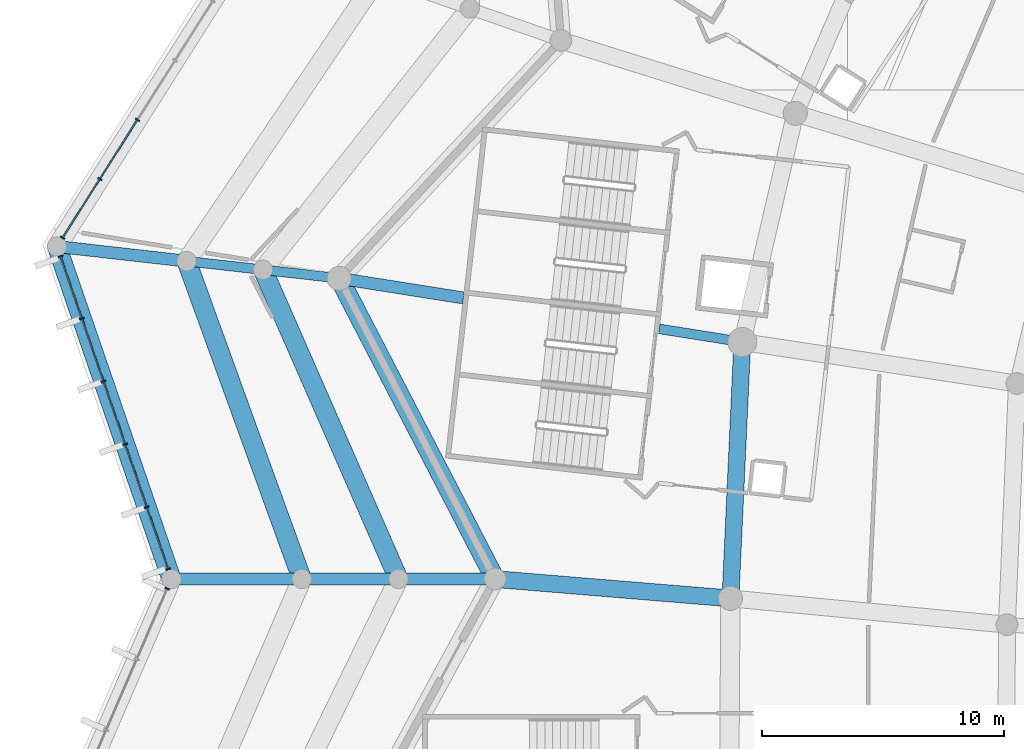
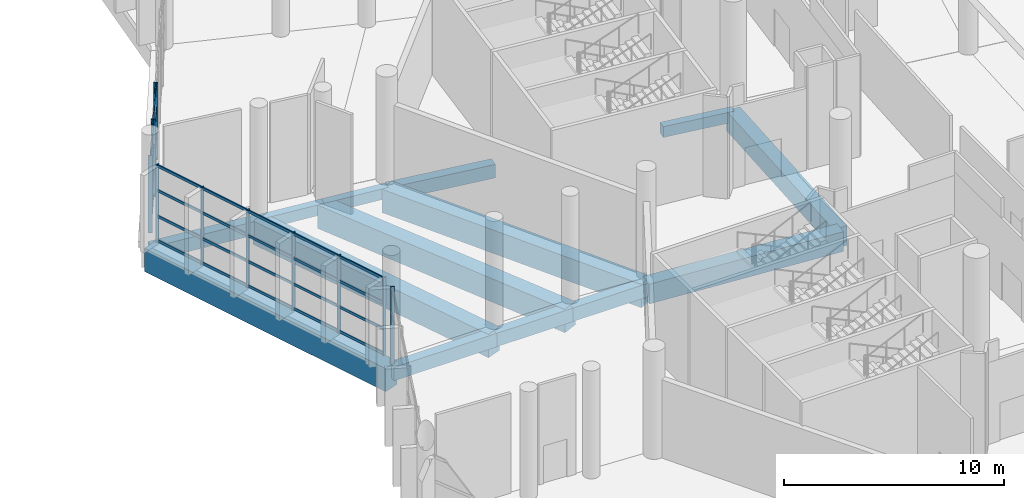
# One storey, part 57 of 249: 38 members, 14 beams, 3 elements without a shape of their own.
"""IFC4 building model written with IfcOpenShell, lengths in metres."""

from ifc_helpers import new_model, si_unit, direction, frame, origin, origin_2d, place, context, subcontext, project, spatial, rectangle, extrude, material, layer, layer_set, material_profile, profile_set, type_object, element, aggregate, save


model = new_model("IFC4")

# Units and contexts
model_context = context("Model", 3, precision=1e-05, world=origin(), true_north=direction((0.0, 1.0)))
body_context = subcontext(model_context, "Body", "Model", "MODEL_VIEW")
ifc_project = project(units=[si_unit("LENGTHUNIT", "METRE"), si_unit("AREAUNIT", "SQUARE_METRE"), si_unit("VOLUMEUNIT", "CUBIC_METRE"), si_unit("PLANEANGLEUNIT", "RADIAN"), si_unit("MASSUNIT", "GRAM", prefix="KILO")], contexts=[model_context])

# Site, building, storey
site_placement = place(None, origin())
site = spatial("IfcSite", under=ifc_project, at=site_placement, CompositionType="ELEMENT")
building_placement = place(site_placement, origin())
building = spatial("IfcBuilding", under=site, at=building_placement, Name="Meseta Stadium", CompositionType="ELEMENT")
storey_placement = place(building_placement, frame((0.0, 0.0, 12.0)))
storey = spatial("IfcBuildingStorey", under=building, at=storey_placement, Name="L02", CompositionType="ELEMENT", Elevation=12.0)

# Beams
ifc_material_1 = material(Name="Concrete C40/50", Category="concrete")
ifc_material_profile_1 = material_profile(ifc_material_1, rectangle(XDim=0.39990234375, YDim=0.60009765625, at=origin_2d()), Name="RC 400x600")
ifc_profile_set_1 = profile_set([ifc_material_profile_1], Name="Concrete C40/50")
beam_type_1 = type_object("IfcBeamType", Name="RC beam 400x600", PredefinedType="BEAM", material=ifc_profile_set_1)
beam_1_placement = place(storey_placement, frame((-84.36328125, 53.5654296875, -0.64990234375), z_axis=(-0.987745905014, 0.156070583799, 0.0), x_axis=(-0.156070583799, -0.987745905014, 0.0)))
element("IfcBeam", 1, at=beam_1_placement, inside=storey, type_object=beam_type_1, Name="L02 radial beam frame 28 line P to R", PredefinedType="BEAM", context=body_context, shape_type="SweptSolid", body=[
    extrude(rectangle(XDim=0.39990234375, YDim=0.60009765625, at=origin_2d()), origin(), (0.0, 0.0, 1.0), 3.482177734375),
])
beam_2_placement = place(storey_placement, frame((-101.0517578125, 56.202880859375, -0.64990234375), z_axis=(-0.99371595508, 0.111931231652, 0.0), x_axis=(-0.111931231652, -0.99371595508, 0.0)))
element("IfcBeam", 2, at=beam_2_placement, inside=storey, type_object=beam_type_1, Name="L02 radial beam frame 28 line R to M", PredefinedType="BEAM", context=body_context, shape_type="SweptSolid", body=[
    extrude(rectangle(XDim=0.39990234375, YDim=0.60009765625, at=origin_2d()), origin(), (0.0, 0.0, 1.0), 3.18017578125),
])
beam_3_placement = place(storey_placement, frame((-104.2119140625, 56.558837890625, -0.64990234375), z_axis=(-0.993708376267, 0.111998495247, 0.0), x_axis=(-0.111998495247, -0.993708376267, 0.0)))
element("IfcBeam", 3, at=beam_3_placement, inside=storey, type_object=beam_type_1, Name="L02 radial beam frame 28 line M to Q", PredefinedType="BEAM", context=body_context, shape_type="SweptSolid", body=[
    extrude(rectangle(XDim=0.39990234375, YDim=0.60009765625, at=origin_2d()), origin(), (0.0, 0.0, 1.0), 3.180419921875),
])
ifc_material_2 = material(Name="Concrete C40/50", Category="concrete")
ifc_material_profile_2 = material_profile(ifc_material_2, rectangle(XDim=0.5, YDim=0.75, at=origin_2d()), Name="RC 500x750")
ifc_profile_set_2 = profile_set([ifc_material_profile_2], Name="Concrete C40/50")
beam_type_2 = type_object("IfcBeamType", Name="RC beam 500x750", PredefinedType="BEAM", material=ifc_profile_set_2)
beam_4_placement = place(storey_placement, frame((-95.910400390625, 55.390380859375, -0.72509765625), z_axis=(-0.987742039994, 0.156095042932, 0.0), x_axis=(-0.156095042932, -0.987742039994, 0.0)))
element("IfcBeam", 4, at=beam_4_placement, inside=storey, type_object=beam_type_2, Name="L02 radial beam frame 28 line P to R", PredefinedType="BEAM", context=body_context, shape_type="SweptSolid", body=[
    extrude(rectangle(XDim=0.5, YDim=0.75, at=origin_2d()), origin(), (0.0, 0.0, 1.0), 5.205078125),
])
beam_5_placement = place(storey_placement, frame((-107.372314453125, 56.9150390625, -0.72509765625), z_axis=(-0.993714415722, 0.111944897098, 0.0), x_axis=(-0.111944897098, -0.993714415722, 0.0)))
element("IfcBeam", 5, at=beam_5_placement, inside=storey, type_object=beam_type_2, Name="L02 radial beam frame 28 line Q to O", PredefinedType="BEAM", context=body_context, shape_type="SweptSolid", body=[
    extrude(rectangle(XDim=0.5, YDim=0.75, at=origin_2d()), origin(), (0.0, 0.0, 1.0), 5.39990234375),
])
for number, where, z_axis, x_axis, name in (
    (6, (-94.60009765625, 43.75, -0.72509765625), (-1.0, 0.0, 0.0), (0.0, -1.0, 0.0), "L02 radial beam frame 29 line R to M"),
    (7, (-98.60009765625, 43.75, -0.72509765625), (-1.0, 0.0, 0.0), (0.0, -1.0, 0.0), "L02 radial beam frame 29 line M to Q"),
):
    element("IfcBeam", number, at=place(storey_placement, frame(where, z_axis=z_axis, x_axis=x_axis)), inside=storey, type_object=beam_type_2, Name=name, PredefinedType="BEAM", context=body_context, shape_type="SweptSolid", body=[
        extrude(rectangle(XDim=0.5, YDim=0.75, at=origin_2d()), origin(), (0.0, 0.0, 1.0), 4.0),
    ])
beam_6_placement = place(storey_placement, frame((-102.60009765625, 43.75, -0.72509765625), z_axis=(-1.0, 0.0, 0.0), x_axis=(0.0, -1.0, 0.0)))
element("IfcBeam", 8, at=beam_6_placement, inside=storey, type_object=beam_type_2, Name="L02 radial beam frame 29 line Q to O", PredefinedType="BEAM", context=body_context, shape_type="SweptSolid", body=[
    extrude(rectangle(XDim=0.5, YDim=0.75, at=origin_2d()), origin(), (0.0, 0.0, 1.0), 5.39990234375),
])
ifc_material_3 = material(Name="Concrete C40/50", Category="concrete")
ifc_material_profile_3 = material_profile(ifc_material_3, rectangle(XDim=0.699951171875, YDim=1.10009765625, at=origin_2d()), Name="RC 700x1100")
ifc_profile_set_3 = profile_set([ifc_material_profile_3], Name="Concrete C40/50")
beam_type_3 = type_object("IfcBeamType", Name="RC beam 700x1100", PredefinedType="BEAM", material=ifc_profile_set_3)
beam_7_placement = place(storey_placement, frame((-84.36328125, 53.5654296875, -0.89990234375), z_axis=(-0.046171416705, -0.998933531462, 0.0), x_axis=(0.998933531462, -0.046171416705, 0.0)))
element("IfcBeam", 9, at=beam_7_placement, inside=storey, type_object=beam_type_3, Name="L02 ring beam frame 28 line P", PredefinedType="BEAM", context=body_context, shape_type="SweptSolid", body=[
    extrude(rectangle(XDim=0.699951171875, YDim=1.10009765625, at=origin_2d()), origin(), (0.0, 0.0, 1.0), 10.628173828125),
])
beam_8_placement = place(storey_placement, frame((-84.85400390625, 42.948486328125, -0.89990234375), z_axis=(-0.996635391437, 0.081962775303, 0.0), x_axis=(-0.081962775303, -0.996635391437, 0.0)))
element("IfcBeam", 10, at=beam_8_placement, inside=storey, type_object=beam_type_3, Name="L02 radial beam frame 29 line P to R", PredefinedType="BEAM", context=body_context, shape_type="SweptSolid", body=[
    extrude(rectangle(XDim=0.699951171875, YDim=1.10009765625, at=origin_2d()), origin(), (0.0, 0.0, 1.0), 9.779052734375),
])
ifc_material_4 = material(Name="Concrete C40/50", Category="concrete")
ifc_material_profile_4 = material_profile(ifc_material_4, rectangle(XDim=0.800048828125, YDim=1.300048828125, at=origin_2d()), Name="RC 800x1300")
ifc_profile_set_4 = profile_set([ifc_material_profile_4], Name="Concrete C40/50")
beam_type_4 = type_object("IfcBeamType", Name="RC beam 800x1300", PredefinedType="BEAM", material=ifc_profile_set_4)
beam_9_placement = place(storey_placement, frame((-101.0517578125, 56.202880859375, -1.0), z_axis=(0.460014301189, -0.887911506121, 0.0), x_axis=(0.887911506121, 0.460014301189, 0.0)))
element("IfcBeam", 11, at=beam_9_placement, inside=storey, type_object=beam_type_4, Name="L02 ring beam frame 28 line R", PredefinedType="BEAM", context=body_context, shape_type="SweptSolid", body=[
    extrude(rectangle(XDim=0.800048828125, YDim=1.300048828125, at=origin_2d()), origin(), (0.0, 0.0, 1.0), 14.02490234375),
])
beam_10_placement = place(storey_placement, frame((-104.2119140625, 56.558837890625, -1.0), z_axis=(0.401295934377, -0.915948455456, 0.0), x_axis=(0.915948455456, 0.401295934377, 0.0)))
element("IfcBeam", 12, at=beam_10_placement, inside=storey, type_object=beam_type_4, Name="L02 ring beam frame 28 line M", PredefinedType="BEAM", context=body_context, shape_type="SweptSolid", body=[
    extrude(rectangle(XDim=0.800048828125, YDim=1.300048828125, at=origin_2d()), origin(), (0.0, 0.0, 1.0), 13.984130859375),
])
beam_11_placement = place(storey_placement, frame((-107.372314453125, 56.9150390625, -1.0), z_axis=(0.340792389295, -0.940138578827, 0.0), x_axis=(0.940138578827, 0.340792389295, 0.0)))
element("IfcBeam", 13, at=beam_11_placement, inside=storey, type_object=beam_type_4, Name="L02 ring beam frame 28 line Q", PredefinedType="BEAM", context=body_context, shape_type="SweptSolid", body=[
    extrude(rectangle(XDim=0.800048828125, YDim=1.300048828125, at=origin_2d()), origin(), (0.0, 0.0, 1.0), 14.00341796875),
])
beam_12_placement = place(storey_placement, frame((-112.73828125, 57.51953125, -1.0), z_axis=(0.325387125895, -0.945580889349, 0.0), x_axis=(0.945580889349, 0.325387125895, 0.0)))
element("IfcBeam", 14, at=beam_12_placement, inside=storey, type_object=beam_type_4, Name="L02 ring beam frame 28 line O", PredefinedType="BEAM", context=body_context, shape_type="SweptSolid", body=[
    extrude(rectangle(XDim=0.800048828125, YDim=1.300048828125, at=origin_2d()), origin(), (0.0, 0.0, 1.0), 14.56201171875),
])

# Curtain wall, members
ifc_material_5 = material(Name="Aluminium", Category="aluminium")
ifc_layer = layer(ifc_material_5, 0.199951171875)
ifc_layer_set = layer_set([ifc_layer], Name="Ring shopfront curtain wall")
curtain_wall_type = type_object("IfcCurtainWallType", Name="Ring shopfront curtain wall", PredefinedType="NOTDEFINED", material=ifc_layer_set)
curtain_wall_1_placement = place(storey_placement, origin())
curtain_wall_1 = element("IfcCurtainWall", 15, at=curtain_wall_1_placement, inside=storey, type_object=curtain_wall_type, Name="Ring glazing L02 F27", PredefinedType="NOTDEFINED")
ifc_material_6 = material(Name="Aluminium", Category="aluminium")
ifc_material_profile_5 = material_profile(ifc_material_6, rectangle(XDim=0.199951171875, YDim=0.06005859375, at=origin_2d()), Name="CW 200x60")
ifc_profile_set_5 = profile_set([ifc_material_profile_5], Name="Aluminium")
member_type_1 = type_object("IfcMemberType", Name="Ring CW mullion 60x200", PredefinedType="MULLION", material=ifc_profile_set_5)
member_1_placement = place(storey_placement, frame((-109.408447265625, 62.770263671875, 0.0), z_axis=(0.0, 0.0, 1.0), x_axis=(0.844491436677, -0.535569055659, 0.0)))
member_1 = element("IfcMember", 16, at=member_1_placement, type_object=member_type_1, Name="CWR1 mullion 4", PredefinedType="MULLION", context=body_context, shape_type="SweptSolid", body=[
    extrude(rectangle(XDim=0.199951171875, YDim=0.06005859375, at=origin_2d()), origin(), (0.0, 0.0, 1.0), 4.300048828125),
])
member_2_placement = place(storey_placement, frame((-110.96630859375, 60.313720703125, 0.0), z_axis=(0.0, 0.0, 1.0), x_axis=(0.844491436677, -0.535569055659, 0.0)))
member_2 = element("IfcMember", 17, at=member_2_placement, type_object=member_type_1, Name="CWR1 mullion 5", PredefinedType="MULLION", context=body_context, shape_type="SweptSolid", body=[
    extrude(rectangle(XDim=0.199951171875, YDim=0.06005859375, at=origin_2d()), origin(), (0.0, 0.0, 1.0), 4.300048828125),
])
member_3_placement = place(storey_placement, frame((-112.508056640625, 57.8828125, 0.0), z_axis=(0.0, 0.0, 1.0), x_axis=(0.844491436677, -0.535569055659, 0.0)))
member_3 = element("IfcMember", 18, at=member_3_placement, type_object=member_type_1, Name="CWR1 mullion 6", PredefinedType="MULLION", context=body_context, shape_type="SweptSolid", body=[
    extrude(rectangle(XDim=0.199951171875, YDim=0.06005859375, at=origin_2d()), origin(), (0.0, 0.0, 1.0), 4.300048828125),
])

curtain_wall_2_placement = place(storey_placement, origin())
curtain_wall_2 = element("IfcCurtainWall", 19, at=curtain_wall_2_placement, inside=storey, type_object=curtain_wall_type, Name="Ring glazing L02 F28", PredefinedType="NOTDEFINED")
member_4_placement = place(storey_placement, frame((-112.598388671875, 57.113037109375, 0.0), z_axis=(0.0, 0.0, 1.0), x_axis=(0.945581280042, 0.325385990532, 0.0)))
member_4 = element("IfcMember", 20, at=member_4_placement, type_object=member_type_1, Name="CWR1 mullion 1", PredefinedType="MULLION", context=body_context, shape_type="SweptSolid", body=[
    extrude(rectangle(XDim=0.199951171875, YDim=0.06005859375, at=origin_2d()), origin(), (0.0, 0.0, 1.0), 4.300048828125),
])
member_5_placement = place(storey_placement, frame((-111.712646484375, 54.538818359375, 0.0), z_axis=(0.0, 0.0, 1.0), x_axis=(0.945581280042, 0.325385990532, 0.0)))
member_5 = element("IfcMember", 21, at=member_5_placement, type_object=member_type_1, Name="CWR1 mullion 2", PredefinedType="MULLION", context=body_context, shape_type="SweptSolid", body=[
    extrude(rectangle(XDim=0.199951171875, YDim=0.06005859375, at=origin_2d()), origin(), (0.0, 0.0, 1.0), 4.300048828125),
])
member_6_placement = place(storey_placement, frame((-110.81689453125, 51.93603515625, 0.0), z_axis=(0.0, 0.0, 1.0), x_axis=(0.945581280042, 0.325385990532, 0.0)))
member_6 = element("IfcMember", 22, at=member_6_placement, type_object=member_type_1, Name="CWR1 mullion 3", PredefinedType="MULLION", context=body_context, shape_type="SweptSolid", body=[
    extrude(rectangle(XDim=0.199951171875, YDim=0.06005859375, at=origin_2d()), origin(), (0.0, 0.0, 1.0), 4.300048828125),
])
member_7_placement = place(storey_placement, frame((-109.92138671875, 49.33349609375, 0.0), z_axis=(0.0, 0.0, 1.0), x_axis=(0.945581280042, 0.325385990532, 0.0)))
member_7 = element("IfcMember", 23, at=member_7_placement, type_object=member_type_1, Name="CWR1 mullion 4", PredefinedType="MULLION", context=body_context, shape_type="SweptSolid", body=[
    extrude(rectangle(XDim=0.199951171875, YDim=0.06005859375, at=origin_2d()), origin(), (0.0, 0.0, 1.0), 4.300048828125),
])
member_8_placement = place(storey_placement, frame((-109.02587890625, 46.73095703125, 0.0), z_axis=(0.0, 0.0, 1.0), x_axis=(0.945581280042, 0.325385990532, 0.0)))
member_8 = element("IfcMember", 24, at=member_8_placement, type_object=member_type_1, Name="CWR1 mullion 5", PredefinedType="MULLION", context=body_context, shape_type="SweptSolid", body=[
    extrude(rectangle(XDim=0.199951171875, YDim=0.06005859375, at=origin_2d()), origin(), (0.0, 0.0, 1.0), 4.300048828125),
])
member_9_placement = place(storey_placement, frame((-108.139892578125, 44.156494140625, 0.0), z_axis=(0.0, 0.0, 1.0), x_axis=(0.945581280042, 0.325385990532, 0.0)))
member_9 = element("IfcMember", 25, at=member_9_placement, type_object=member_type_1, Name="CWR1 mullion 6", PredefinedType="MULLION", context=body_context, shape_type="SweptSolid", body=[
    extrude(rectangle(XDim=0.199951171875, YDim=0.06005859375, at=origin_2d()), origin(), (0.0, 0.0, 1.0), 4.300048828125),
])

# Curtain wall, member
curtain_wall_3_placement = place(storey_placement, origin())
curtain_wall_3 = element("IfcCurtainWall", 26, at=curtain_wall_3_placement, inside=storey, type_object=curtain_wall_type, Name="Ring glazing L02 F29", PredefinedType="NOTDEFINED")
member_10_placement = place(storey_placement, frame((-108.17041015625, 43.355224609375, 0.0), z_axis=(0.0, 0.0, 1.0), x_axis=(0.91799986854, -0.396580687073, 0.0)))
member_10 = element("IfcMember", 27, at=member_10_placement, type_object=member_type_1, Name="CWR1 mullion 1", PredefinedType="MULLION", context=body_context, shape_type="SweptSolid", body=[
    extrude(rectangle(XDim=0.199951171875, YDim=0.06005859375, at=origin_2d()), origin(), (0.0, 0.0, 1.0), 4.300048828125),
])
aggregate(curtain_wall_3, [member_10])

# Member
ifc_material_7 = material(Name="Aluminium", Category="aluminium")
ifc_material_profile_6 = material_profile(ifc_material_7, rectangle(XDim=0.06005859375, YDim=0.14990234375, at=origin_2d()), Name="CW 60x150")
ifc_profile_set_6 = profile_set([ifc_material_profile_6], Name="Aluminium")
member_type_2 = type_object("IfcMemberType", Name="Ring CW transom 60x150", PredefinedType="USERDEFINED", material=ifc_profile_set_6)
member_11_placement = place(storey_placement, frame((-109.424560546875, 62.744873046875, 0.074951171875), z_axis=(-0.535549479234, -0.844503851556, 0.0), x_axis=(0.844503851556, -0.535549479234, 0.0)))
member_11 = element("IfcMember", 28, at=member_11_placement, type_object=member_type_2, Name="CWR1 transom 4.1", ObjectType="TRANSOM", PredefinedType="USERDEFINED", context=body_context, shape_type="SweptSolid", body=[
    extrude(rectangle(XDim=0.06005859375, YDim=0.14990234375, at=origin_2d()), origin(), (0.0, 0.0, 1.0), 2.8486328125),
])

member_12_placement = place(storey_placement, frame((-109.424560546875, 62.744873046875, 1.433349609375), z_axis=(-0.535549479234, -0.844503851556, 0.0), x_axis=(0.844503851556, -0.535549479234, 0.0)))
member_12 = element("IfcMember", 29, at=member_12_placement, type_object=member_type_2, Name="CWR1 transom 4.2", ObjectType="TRANSOM", PredefinedType="USERDEFINED", context=body_context, shape_type="SweptSolid", body=[
    extrude(rectangle(XDim=0.06005859375, YDim=0.14990234375, at=origin_2d()), origin(), (0.0, 0.0, 1.0), 2.8486328125),
])

member_13_placement = place(storey_placement, frame((-109.424560546875, 62.744873046875, 2.86669921875), z_axis=(-0.535549479234, -0.844503851556, 0.0), x_axis=(0.844503851556, -0.535549479234, 0.0)))
member_13 = element("IfcMember", 30, at=member_13_placement, type_object=member_type_2, Name="CWR1 transom 4.3", ObjectType="TRANSOM", PredefinedType="USERDEFINED", context=body_context, shape_type="SweptSolid", body=[
    extrude(rectangle(XDim=0.06005859375, YDim=0.14990234375, at=origin_2d()), origin(), (0.0, 0.0, 1.0), 2.8486328125),
])

member_14_placement = place(storey_placement, frame((-109.424560546875, 62.744873046875, 4.22509765625), z_axis=(-0.535549479234, -0.844503851556, 0.0), x_axis=(0.844503851556, -0.535549479234, 0.0)))
member_14 = element("IfcMember", 31, at=member_14_placement, type_object=member_type_2, Name="CWR1 transom 4.4", ObjectType="TRANSOM", PredefinedType="USERDEFINED", context=body_context, shape_type="SweptSolid", body=[
    extrude(rectangle(XDim=0.06005859375, YDim=0.14990234375, at=origin_2d()), origin(), (0.0, 0.0, 1.0), 2.8486328125),
])

member_15_placement = place(storey_placement, frame((-110.982421875, 60.28857421875, 0.074951171875), z_axis=(-0.535569142157, -0.84449138182, 0.0), x_axis=(0.84449138182, -0.535569142157, 0.0)))
member_15 = element("IfcMember", 32, at=member_15_placement, type_object=member_type_2, Name="CWR1 transom 5.1", ObjectType="TRANSOM", PredefinedType="USERDEFINED", context=body_context, shape_type="SweptSolid", body=[
    extrude(rectangle(XDim=0.06005859375, YDim=0.14990234375, at=origin_2d()), origin(), (0.0, 0.0, 1.0), 2.819091796875),
])

member_16_placement = place(storey_placement, frame((-110.982421875, 60.28857421875, 1.433349609375), z_axis=(-0.535569142157, -0.84449138182, 0.0), x_axis=(0.84449138182, -0.535569142157, 0.0)))
member_16 = element("IfcMember", 33, at=member_16_placement, type_object=member_type_2, Name="CWR1 transom 5.2", ObjectType="TRANSOM", PredefinedType="USERDEFINED", context=body_context, shape_type="SweptSolid", body=[
    extrude(rectangle(XDim=0.06005859375, YDim=0.14990234375, at=origin_2d()), origin(), (0.0, 0.0, 1.0), 2.819091796875),
])

member_17_placement = place(storey_placement, frame((-110.982421875, 60.28857421875, 2.86669921875), z_axis=(-0.535569142157, -0.84449138182, 0.0), x_axis=(0.84449138182, -0.535569142157, 0.0)))
member_17 = element("IfcMember", 34, at=member_17_placement, type_object=member_type_2, Name="CWR1 transom 5.3", ObjectType="TRANSOM", PredefinedType="USERDEFINED", context=body_context, shape_type="SweptSolid", body=[
    extrude(rectangle(XDim=0.06005859375, YDim=0.14990234375, at=origin_2d()), origin(), (0.0, 0.0, 1.0), 2.819091796875),
])

member_18_placement = place(storey_placement, frame((-110.982421875, 60.28857421875, 4.22509765625), z_axis=(-0.535569142157, -0.84449138182, 0.0), x_axis=(0.84449138182, -0.535569142157, 0.0)))
member_18 = element("IfcMember", 35, at=member_18_placement, type_object=member_type_2, Name="CWR1 transom 5.4", ObjectType="TRANSOM", PredefinedType="USERDEFINED", context=body_context, shape_type="SweptSolid", body=[
    extrude(rectangle(XDim=0.06005859375, YDim=0.14990234375, at=origin_2d()), origin(), (0.0, 0.0, 1.0), 2.819091796875),
])

aggregate(curtain_wall_1, [member_1, member_2, member_3, member_11, member_12, member_13, member_14, member_15, member_16, member_17, member_18])

member_19_placement = place(storey_placement, frame((-112.588623046875, 57.084716796875, 0.074951171875), z_axis=(0.325346281899, -0.945594943332, 0.0), x_axis=(0.945594943332, 0.325346281899, 0.0)))
member_19 = element("IfcMember", 36, at=member_19_placement, type_object=member_type_2, Name="CWR1 transom 1.1", ObjectType="TRANSOM", PredefinedType="USERDEFINED", context=body_context, shape_type="SweptSolid", body=[
    extrude(rectangle(XDim=0.06005859375, YDim=0.14990234375, at=origin_2d()), origin(), (0.0, 0.0, 1.0), 2.662353515625),
])

member_20_placement = place(storey_placement, frame((-112.588623046875, 57.084716796875, 1.433349609375), z_axis=(0.325346281899, -0.945594943332, 0.0), x_axis=(0.945594943332, 0.325346281899, 0.0)))
member_20 = element("IfcMember", 37, at=member_20_placement, type_object=member_type_2, Name="CWR1 transom 1.2", ObjectType="TRANSOM", PredefinedType="USERDEFINED", context=body_context, shape_type="SweptSolid", body=[
    extrude(rectangle(XDim=0.06005859375, YDim=0.14990234375, at=origin_2d()), origin(), (0.0, 0.0, 1.0), 2.662353515625),
])

member_21_placement = place(storey_placement, frame((-112.588623046875, 57.084716796875, 2.86669921875), z_axis=(0.325346281899, -0.945594943332, 0.0), x_axis=(0.945594943332, 0.325346281899, 0.0)))
member_21 = element("IfcMember", 38, at=member_21_placement, type_object=member_type_2, Name="CWR1 transom 1.3", ObjectType="TRANSOM", PredefinedType="USERDEFINED", context=body_context, shape_type="SweptSolid", body=[
    extrude(rectangle(XDim=0.06005859375, YDim=0.14990234375, at=origin_2d()), origin(), (0.0, 0.0, 1.0), 2.662353515625),
])

member_22_placement = place(storey_placement, frame((-112.588623046875, 57.084716796875, 4.22509765625), z_axis=(0.325346281899, -0.945594943332, 0.0), x_axis=(0.945594943332, 0.325346281899, 0.0)))
member_22 = element("IfcMember", 39, at=member_22_placement, type_object=member_type_2, Name="CWR1 transom 1.4", ObjectType="TRANSOM", PredefinedType="USERDEFINED", context=body_context, shape_type="SweptSolid", body=[
    extrude(rectangle(XDim=0.06005859375, YDim=0.14990234375, at=origin_2d()), origin(), (0.0, 0.0, 1.0), 2.662353515625),
])

member_23_placement = place(storey_placement, frame((-111.702880859375, 54.510498046875, 0.074951171875), z_axis=(0.32543452855, -0.945564576128, 0.0), x_axis=(0.945564576128, 0.32543452855, 0.0)))
member_23 = element("IfcMember", 40, at=member_23_placement, type_object=member_type_2, Name="CWR1 transom 2.1", ObjectType="TRANSOM", PredefinedType="USERDEFINED", context=body_context, shape_type="SweptSolid", body=[
    extrude(rectangle(XDim=0.06005859375, YDim=0.14990234375, at=origin_2d()), origin(), (0.0, 0.0, 1.0), 2.6923828125),
])

member_24_placement = place(storey_placement, frame((-111.702880859375, 54.510498046875, 1.433349609375), z_axis=(0.32543452855, -0.945564576128, 0.0), x_axis=(0.945564576128, 0.32543452855, 0.0)))
member_24 = element("IfcMember", 41, at=member_24_placement, type_object=member_type_2, Name="CWR1 transom 2.2", ObjectType="TRANSOM", PredefinedType="USERDEFINED", context=body_context, shape_type="SweptSolid", body=[
    extrude(rectangle(XDim=0.06005859375, YDim=0.14990234375, at=origin_2d()), origin(), (0.0, 0.0, 1.0), 2.6923828125),
])

member_25_placement = place(storey_placement, frame((-111.702880859375, 54.510498046875, 2.86669921875), z_axis=(0.32543452855, -0.945564576128, 0.0), x_axis=(0.945564576128, 0.32543452855, 0.0)))
member_25 = element("IfcMember", 42, at=member_25_placement, type_object=member_type_2, Name="CWR1 transom 2.3", ObjectType="TRANSOM", PredefinedType="USERDEFINED", context=body_context, shape_type="SweptSolid", body=[
    extrude(rectangle(XDim=0.06005859375, YDim=0.14990234375, at=origin_2d()), origin(), (0.0, 0.0, 1.0), 2.6923828125),
])

member_26_placement = place(storey_placement, frame((-111.702880859375, 54.510498046875, 4.22509765625), z_axis=(0.32543452855, -0.945564576128, 0.0), x_axis=(0.945564576128, 0.32543452855, 0.0)))
member_26 = element("IfcMember", 43, at=member_26_placement, type_object=member_type_2, Name="CWR1 transom 2.4", ObjectType="TRANSOM", PredefinedType="USERDEFINED", context=body_context, shape_type="SweptSolid", body=[
    extrude(rectangle(XDim=0.06005859375, YDim=0.14990234375, at=origin_2d()), origin(), (0.0, 0.0, 1.0), 2.6923828125),
])

member_27_placement = place(storey_placement, frame((-110.80712890625, 51.90771484375, 0.074951171875), z_axis=(0.32535345265, -0.945592476096, 0.0), x_axis=(0.945592476096, 0.32535345265, 0.0)))
member_27 = element("IfcMember", 44, at=member_27_placement, type_object=member_type_2, Name="CWR1 transom 3.1", ObjectType="TRANSOM", PredefinedType="USERDEFINED", context=body_context, shape_type="SweptSolid", body=[
    extrude(rectangle(XDim=0.06005859375, YDim=0.14990234375, at=origin_2d()), origin(), (0.0, 0.0, 1.0), 2.6923828125),
])

member_28_placement = place(storey_placement, frame((-110.80712890625, 51.90771484375, 1.433349609375), z_axis=(0.32535345265, -0.945592476096, 0.0), x_axis=(0.945592476096, 0.32535345265, 0.0)))
member_28 = element("IfcMember", 45, at=member_28_placement, type_object=member_type_2, Name="CWR1 transom 3.2", ObjectType="TRANSOM", PredefinedType="USERDEFINED", context=body_context, shape_type="SweptSolid", body=[
    extrude(rectangle(XDim=0.06005859375, YDim=0.14990234375, at=origin_2d()), origin(), (0.0, 0.0, 1.0), 2.6923828125),
])

member_29_placement = place(storey_placement, frame((-110.80712890625, 51.90771484375, 2.86669921875), z_axis=(0.32535345265, -0.945592476096, 0.0), x_axis=(0.945592476096, 0.32535345265, 0.0)))
member_29 = element("IfcMember", 46, at=member_29_placement, type_object=member_type_2, Name="CWR1 transom 3.3", ObjectType="TRANSOM", PredefinedType="USERDEFINED", context=body_context, shape_type="SweptSolid", body=[
    extrude(rectangle(XDim=0.06005859375, YDim=0.14990234375, at=origin_2d()), origin(), (0.0, 0.0, 1.0), 2.6923828125),
])

member_30_placement = place(storey_placement, frame((-110.80712890625, 51.90771484375, 4.22509765625), z_axis=(0.32535345265, -0.945592476096, 0.0), x_axis=(0.945592476096, 0.32535345265, 0.0)))
member_30 = element("IfcMember", 47, at=member_30_placement, type_object=member_type_2, Name="CWR1 transom 3.4", ObjectType="TRANSOM", PredefinedType="USERDEFINED", context=body_context, shape_type="SweptSolid", body=[
    extrude(rectangle(XDim=0.06005859375, YDim=0.14990234375, at=origin_2d()), origin(), (0.0, 0.0, 1.0), 2.6923828125),
])

member_31_placement = place(storey_placement, frame((-109.91162109375, 49.30517578125, 0.074951171875), z_axis=(0.32535345265, -0.945592476096, 0.0), x_axis=(0.945592476096, 0.32535345265, 0.0)))
member_31 = element("IfcMember", 48, at=member_31_placement, type_object=member_type_2, Name="CWR1 transom 4.1", ObjectType="TRANSOM", PredefinedType="USERDEFINED", context=body_context, shape_type="SweptSolid", body=[
    extrude(rectangle(XDim=0.06005859375, YDim=0.14990234375, at=origin_2d()), origin(), (0.0, 0.0, 1.0), 2.6923828125),
])

member_32_placement = place(storey_placement, frame((-109.91162109375, 49.30517578125, 1.433349609375), z_axis=(0.32535345265, -0.945592476096, 0.0), x_axis=(0.945592476096, 0.32535345265, 0.0)))
member_32 = element("IfcMember", 49, at=member_32_placement, type_object=member_type_2, Name="CWR1 transom 4.2", ObjectType="TRANSOM", PredefinedType="USERDEFINED", context=body_context, shape_type="SweptSolid", body=[
    extrude(rectangle(XDim=0.06005859375, YDim=0.14990234375, at=origin_2d()), origin(), (0.0, 0.0, 1.0), 2.6923828125),
])

member_33_placement = place(storey_placement, frame((-109.91162109375, 49.30517578125, 2.86669921875), z_axis=(0.32535345265, -0.945592476096, 0.0), x_axis=(0.945592476096, 0.32535345265, 0.0)))
member_33 = element("IfcMember", 50, at=member_33_placement, type_object=member_type_2, Name="CWR1 transom 4.3", ObjectType="TRANSOM", PredefinedType="USERDEFINED", context=body_context, shape_type="SweptSolid", body=[
    extrude(rectangle(XDim=0.06005859375, YDim=0.14990234375, at=origin_2d()), origin(), (0.0, 0.0, 1.0), 2.6923828125),
])

member_34_placement = place(storey_placement, frame((-109.91162109375, 49.30517578125, 4.22509765625), z_axis=(0.32535345265, -0.945592476096, 0.0), x_axis=(0.945592476096, 0.32535345265, 0.0)))
member_34 = element("IfcMember", 51, at=member_34_placement, type_object=member_type_2, Name="CWR1 transom 4.4", ObjectType="TRANSOM", PredefinedType="USERDEFINED", context=body_context, shape_type="SweptSolid", body=[
    extrude(rectangle(XDim=0.06005859375, YDim=0.14990234375, at=origin_2d()), origin(), (0.0, 0.0, 1.0), 2.6923828125),
])

member_35_placement = place(storey_placement, frame((-109.01611328125, 46.702392578125, 0.074951171875), z_axis=(0.325428270426, -0.94556672996, 0.0), x_axis=(0.94556672996, 0.325428270426, 0.0)))
member_35 = element("IfcMember", 52, at=member_35_placement, type_object=member_type_2, Name="CWR1 transom 5.1", ObjectType="TRANSOM", PredefinedType="USERDEFINED", context=body_context, shape_type="SweptSolid", body=[
    extrude(rectangle(XDim=0.06005859375, YDim=0.14990234375, at=origin_2d()), origin(), (0.0, 0.0, 1.0), 2.66259765625),
])

member_36_placement = place(storey_placement, frame((-109.01611328125, 46.702392578125, 1.433349609375), z_axis=(0.325428270426, -0.94556672996, 0.0), x_axis=(0.94556672996, 0.325428270426, 0.0)))
member_36 = element("IfcMember", 53, at=member_36_placement, type_object=member_type_2, Name="CWR1 transom 5.2", ObjectType="TRANSOM", PredefinedType="USERDEFINED", context=body_context, shape_type="SweptSolid", body=[
    extrude(rectangle(XDim=0.06005859375, YDim=0.14990234375, at=origin_2d()), origin(), (0.0, 0.0, 1.0), 2.66259765625),
])

member_37_placement = place(storey_placement, frame((-109.01611328125, 46.702392578125, 2.86669921875), z_axis=(0.325428270426, -0.94556672996, 0.0), x_axis=(0.94556672996, 0.325428270426, 0.0)))
member_37 = element("IfcMember", 54, at=member_37_placement, type_object=member_type_2, Name="CWR1 transom 5.3", ObjectType="TRANSOM", PredefinedType="USERDEFINED", context=body_context, shape_type="SweptSolid", body=[
    extrude(rectangle(XDim=0.06005859375, YDim=0.14990234375, at=origin_2d()), origin(), (0.0, 0.0, 1.0), 2.66259765625),
])

member_38_placement = place(storey_placement, frame((-109.01611328125, 46.702392578125, 4.22509765625), z_axis=(0.325428270426, -0.94556672996, 0.0), x_axis=(0.94556672996, 0.325428270426, 0.0)))
member_38 = element("IfcMember", 55, at=member_38_placement, type_object=member_type_2, Name="CWR1 transom 5.4", ObjectType="TRANSOM", PredefinedType="USERDEFINED", context=body_context, shape_type="SweptSolid", body=[
    extrude(rectangle(XDim=0.06005859375, YDim=0.14990234375, at=origin_2d()), origin(), (0.0, 0.0, 1.0), 2.66259765625),
])

aggregate(curtain_wall_2, [member_4, member_5, member_6, member_7, member_8, member_9, member_19, member_20, member_21, member_22, member_23, member_24, member_25, member_26, member_27, member_28, member_29, member_30, member_31, member_32, member_33, member_34, member_35, member_36, member_37, member_38])

save(model, "model.ifc")
